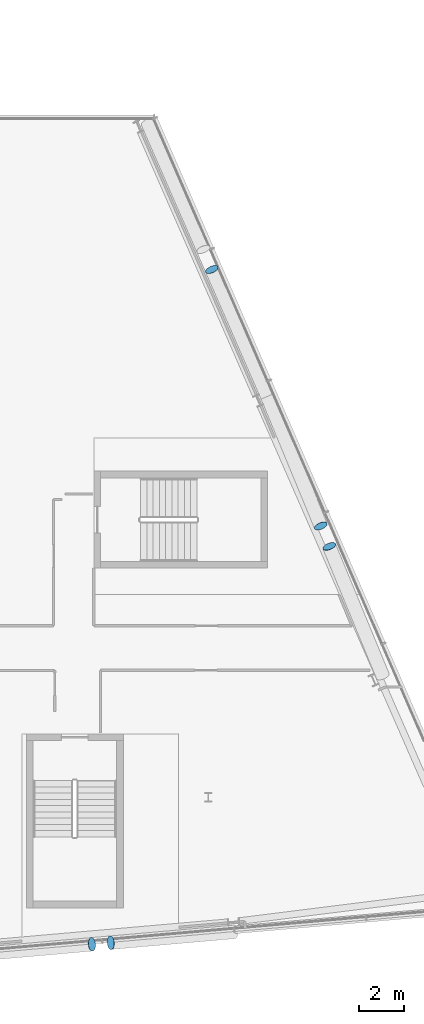
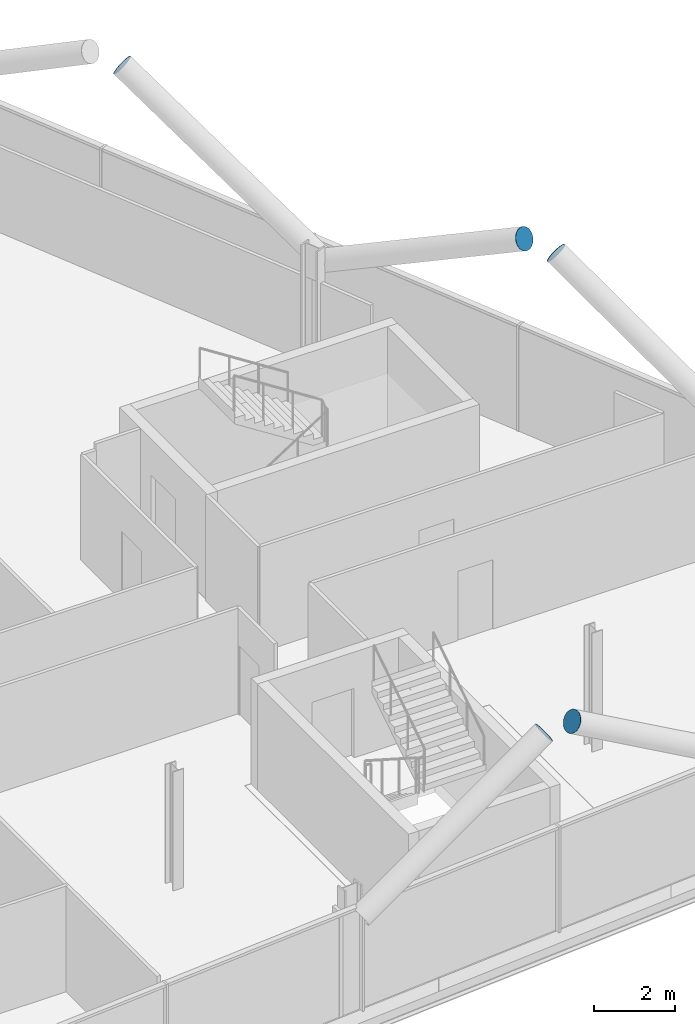
# One storey, part 22 of 27: 5 discrete accessories.
"""IFC4 building model written with IfcOpenShell, lengths in metres."""

import ifcopenshell
import ifcopenshell.guid

model = None  # the IFC model being written
_history = None  # IfcOwnerHistory: only IFC2X3 demands one
_inside = {}  # id of a spatial element -> (the spatial element, [elements in it])
_under = {}  # id of a project, library or spatial element -> (it, [spatial elements below it])
_declared = {}  # id of a project -> (the project, [libraries it declares])
_typed = {}  # id of a type object -> (the type object, [elements of that type])
_made_of = {}  # id of a material, layer set ... -> (it, [elements and type objects made of it])


def new_model(schema):
    """Start an empty IFC model of exactly this schema.

    Asked for "IFC4X3", IfcOpenShell would pick the latest addendum, in which some entities
    have other attributes; the version numbers below select the first issue.
    IFC2X3 requires an IfcOwnerHistory on every rooted entity: one is made here for all.
    """
    global model, _history
    if schema == "IFC4X3":
        model = ifcopenshell.file(schema_version=(4, 3, 0, 0))
    else:
        model = ifcopenshell.file(schema=schema)
    _inside.clear()
    _under.clear()
    _declared.clear()
    _typed.clear()
    _made_of.clear()
    _history = None
    if model.schema == "IFC2X3":
        org = make("IfcOrganization", Name="unknown")
        user = make(
            "IfcPersonAndOrganization",
            ThePerson=make("IfcPerson", FamilyName="unknown"),
            TheOrganization=org,
        )
        app = make(
            "IfcApplication",
            ApplicationDeveloper=org,
            Version="unknown",
            ApplicationFullName="unknown",
            ApplicationIdentifier="unknown",
        )
        _history = make(
            "IfcOwnerHistory",
            OwningUser=user,
            OwningApplication=app,
            ChangeAction="ADDED",
            CreationDate=0,
        )
    return model


def make(cls, **values):
    """One entity of the class cls with the attributes given. An attribute that is None is left unset."""
    return model.create_entity(
        cls, **{name: value for name, value in values.items() if value is not None}
    )


def rooted(cls, **values):
    """An entity with a GlobalId (a new one), such as an element, a storey or a relation."""
    return make(cls, GlobalId=ifcopenshell.guid.new(), OwnerHistory=_history, **values)


def si_unit(unit_type, name, prefix=None):
    """IfcSIUnit, for example si_unit("LENGTHUNIT", "METRE", prefix="MILLI")."""
    return make("IfcSIUnit", UnitType=unit_type, Prefix=prefix, Name=name)


def assignment(units):
    """IfcUnitAssignment: the units of a project."""
    return None if units is None else make("IfcUnitAssignment", Units=units)


def point(xyz):
    """IfcCartesianPoint."""
    return None if xyz is None else make("IfcCartesianPoint", Coordinates=xyz)


def direction(xyz):
    """IfcDirection."""
    return None if xyz is None else make("IfcDirection", DirectionRatios=xyz)


def frame(location, z_axis=None, x_axis=None):
    """IfcAxis2Placement3D, a coordinate frame: its origin and axes. An axis left out is left unset."""
    return make(
        "IfcAxis2Placement3D",
        Location=point(location),
        Axis=direction(z_axis),
        RefDirection=direction(x_axis),
    )


def frame_2d(location, x_axis=None):
    """IfcAxis2Placement2D, a coordinate frame in the plane: its origin and x axis."""
    return make(
        "IfcAxis2Placement2D", Location=point(location), RefDirection=direction(x_axis)
    )


def origin():
    """The frame at (0, 0, 0) with its axes left unset."""
    return frame((0.0, 0.0, 0.0))


def origin_2d():
    """The frame at (0, 0) in the plane with its x axis left unset."""
    return frame_2d((0.0, 0.0))


def place(relative_to, where):
    """IfcLocalPlacement: puts the frame where relative to a parent placement (None: the world)."""
    return make(
        "IfcLocalPlacement", PlacementRelTo=relative_to, RelativePlacement=where
    )


def context(
    kind, dimensions, precision=None, world=None, true_north=None, identifier=None
):
    """IfcGeometricRepresentationContext, for example the 3D "Model" context."""
    return make(
        "IfcGeometricRepresentationContext",
        ContextIdentifier=identifier,
        ContextType=kind,
        CoordinateSpaceDimension=dimensions,
        Precision=precision,
        WorldCoordinateSystem=world,
        TrueNorth=true_north,
    )


def subcontext(parent, identifier, kind, view, scale=None):
    """IfcGeometricRepresentationSubContext, for example "Body" below "Model"."""
    return make(
        "IfcGeometricRepresentationSubContext",
        ContextIdentifier=identifier,
        ContextType=kind,
        ParentContext=parent,
        TargetScale=scale,
        TargetView=view,
    )


def project(units=None, contexts=None):
    """IfcProject with its units and contexts."""
    return rooted(
        "IfcProject",
        Name="project",
        RepresentationContexts=contexts,
        UnitsInContext=assignment(units),
    )


def spatial(cls, under=None, at=None, **own):
    """A site, building, storey or space (cls), placed at a placement, below another one or the project."""
    s = rooted(cls, ObjectPlacement=at, **own)
    if under is not None:
        _under.setdefault(under.id(), (under, []))[1].append(s)
    return s


def profile(cls, at=None, kind="AREA", **sizes):
    """A parametric profile (cls). Its sizes go by their IFC names, for example OverallWidth=200.0."""
    return make(cls, ProfileType=kind, Position=at, **sizes)


def circle(**sizes):
    """IfcCircleProfileDef."""
    return profile("IfcCircleProfileDef", **sizes)


def extrude(swept, where, along, depth):
    """IfcExtrudedAreaSolid: the profile swept, set in the frame where, extruded along a direction by depth."""
    return make(
        "IfcExtrudedAreaSolid",
        SweptArea=swept,
        Position=where,
        ExtrudedDirection=direction(along),
        Depth=depth,
    )


def shape(context_of_items, identifier, shape_type, items):
    """IfcShapeRepresentation: the items that make up one representation, for example the "Body"."""
    return make(
        "IfcShapeRepresentation",
        ContextOfItems=context_of_items,
        RepresentationIdentifier=identifier,
        RepresentationType=shape_type,
        Items=items,
    )


def material(Name=None, Category=None):
    """IfcMaterial."""
    return make("IfcMaterial", Name=Name, Category=Category)


def material_profile(
    of_material, cross_section, Name=None, Category=None, Priority=None
):
    """IfcMaterialProfile: a cross section and its material."""
    return make(
        "IfcMaterialProfile",
        Name=Name,
        Material=of_material,
        Profile=cross_section,
        Priority=Priority,
        Category=Category,
    )


def profile_set(profiles, Name=None, composite=None):
    """IfcMaterialProfileSet."""
    return make(
        "IfcMaterialProfileSet",
        Name=Name,
        MaterialProfiles=profiles,
        CompositeProfile=composite,
    )


def made_of(thing, what):
    """Note that an element or type object is made of a material, layer set ...; save() writes the relation."""
    if what is not None:
        _made_of.setdefault(what.id(), (what, []))[1].append(thing)
    return thing


def type_object(cls, material=None, **own):
    """A type object (cls), such as IfcWallType, which elements share."""
    return made_of(rooted(cls, **own), material)


def element(
    cls,
    number,
    at=None,
    inside=None,
    cuts=None,
    type_object=None,
    material=None,
    context=None,
    identifier="Body",
    shape_type=None,
    held_by="IfcProductDefinitionShape",
    body=None,
    shapes=None,
    **own,
):
    """One element of the class cls, such as IfcWall. Its Tag is "e" and its number.

    at: its placement. inside: the storey or other place that contains it. cuts: it is an
    opening in that element (IfcRelVoidsElement). A single representation is given by context,
    identifier, shape_type and body (its items); several are given by shapes. held_by: the class
    of the entity that holds the representations. save() writes the other relations.
    """
    e = rooted(cls, Tag="e%d" % number, ObjectPlacement=at, **own)
    if body is not None:
        shapes = [shape(context, identifier, shape_type, body)]
    if shapes is not None:
        e.Representation = make(held_by, Representations=shapes)
    if inside is not None:
        _inside.setdefault(inside.id(), (inside, []))[1].append(e)
    if cuts is not None:
        rooted(
            "IfcRelVoidsElement", RelatingBuildingElement=cuts, RelatedOpeningElement=e
        )
    if type_object is not None:
        _typed.setdefault(type_object.id(), (type_object, []))[1].append(e)
    return made_of(e, material)


def aggregate(whole, parts):
    """IfcRelAggregates: a whole, such as a stair, and the parts it consists of."""
    return rooted("IfcRelAggregates", RelatingObject=whole, RelatedObjects=parts)


def save(model, path):
    """Write the relations noted so far, then the file.

    IfcRelAggregates (storeys below a building ...), IfcRelContainedInSpatialStructure (elements
    in a storey), IfcRelDefinesByType, IfcRelAssociatesMaterial and IfcRelDeclares: one each for
    every whole, place, type object, material and project.
    """
    for whole, parts in _under.values():
        aggregate(whole, parts)
    for where, things in _inside.values():
        rooted(
            "IfcRelContainedInSpatialStructure",
            RelatedElements=things,
            RelatingStructure=where,
        )
    for kind, things in _typed.values():
        rooted("IfcRelDefinesByType", RelatedObjects=things, RelatingType=kind)
    for what, things in _made_of.values():
        rooted("IfcRelAssociatesMaterial", RelatedObjects=things, RelatingMaterial=what)
    for by, libraries in _declared.values():
        rooted("IfcRelDeclares", RelatingContext=by, RelatedDefinitions=libraries)
    model.write(path)


model = new_model("IFC4")

# Units and contexts
model_context = context("Model", 3, precision=1e-05, world=origin(), true_north=direction((0.0, 1.0)))
body_context = subcontext(model_context, "Body", "Model", "MODEL_VIEW")
ifc_project = project(units=[si_unit("LENGTHUNIT", "METRE"), si_unit("AREAUNIT", "SQUARE_METRE"), si_unit("VOLUMEUNIT", "CUBIC_METRE"), si_unit("PLANEANGLEUNIT", "RADIAN"), si_unit("MASSUNIT", "GRAM", prefix="KILO")], contexts=[model_context])

# Site, building, storey
site_placement = place(None, origin())
site = spatial("IfcSite", under=ifc_project, at=site_placement, CompositionType="ELEMENT")
building_placement = place(site_placement, origin())
building = spatial("IfcBuilding", under=site, at=building_placement, Name="Wharfspan Tower", CompositionType="ELEMENT")
storey_placement = place(building_placement, frame((0.0, 0.0, 210.699951)))
storey = spatial("IfcBuildingStorey", under=building, at=storey_placement, Name="L52", CompositionType="ELEMENT", Elevation=210.699951)

# Discrete accessories
ifc_material = material(Name="Steel S460NH", Category="steel")
ifc_material_profile = material_profile(ifc_material, circle(Radius=0.304932, at=origin_2d()))
ifc_profile_set = profile_set([ifc_material_profile], Name="Steel S460NH")
discrete_accessory_type = type_object("IfcDiscreteAccessoryType", Name="End plate CHS 610x25", PredefinedType="BRACKET", material=ifc_profile_set)
for number, where, z_axis, x_axis, name in (
    (1, (66.778564, 4.9104, 6.240723), (0.855186, 0.073302, 0.513112), (-0.085402, 0.996345, 1e-06), "End plate CHS 610x25"),
    (2, (67.638428, 4.985596, 6.240723), (-0.855186, -0.073302, 0.513112), (0.085402, -0.996345, 1e-06), "End plate CHS 610x25"),
    (3, (77.431885, 22.744141, 6.232666), (-0.316603, 0.828038, 0.462727), (-0.934054, -0.357138, -1e-06), "End plate CHS 610x25"),
    (4, (77.047607, 23.675049, 6.232666), (0.345075, -0.81339, 0.468316), (0.920586, 0.390551, -2e-06), "End plate CHS 610x25"),
    (5, (72.16748, 35.160156, 6.233398), (-0.366508, 0.806318, 0.464244), (-0.910368, -0.413804, 1e-06), "End plate CHS 610x25"),
):
    element("IfcDiscreteAccessory", number, at=place(storey_placement, frame(where, z_axis=z_axis, x_axis=x_axis)), inside=storey, type_object=discrete_accessory_type, Name=name, PredefinedType="BRACKET", context=body_context, shape_type="SweptSolid", body=[
        extrude(circle(Radius=0.304932, at=origin_2d()), origin(), (0.0, 0.0, 1.0), 0.01001),
    ])

save(model, "model.ifc")
